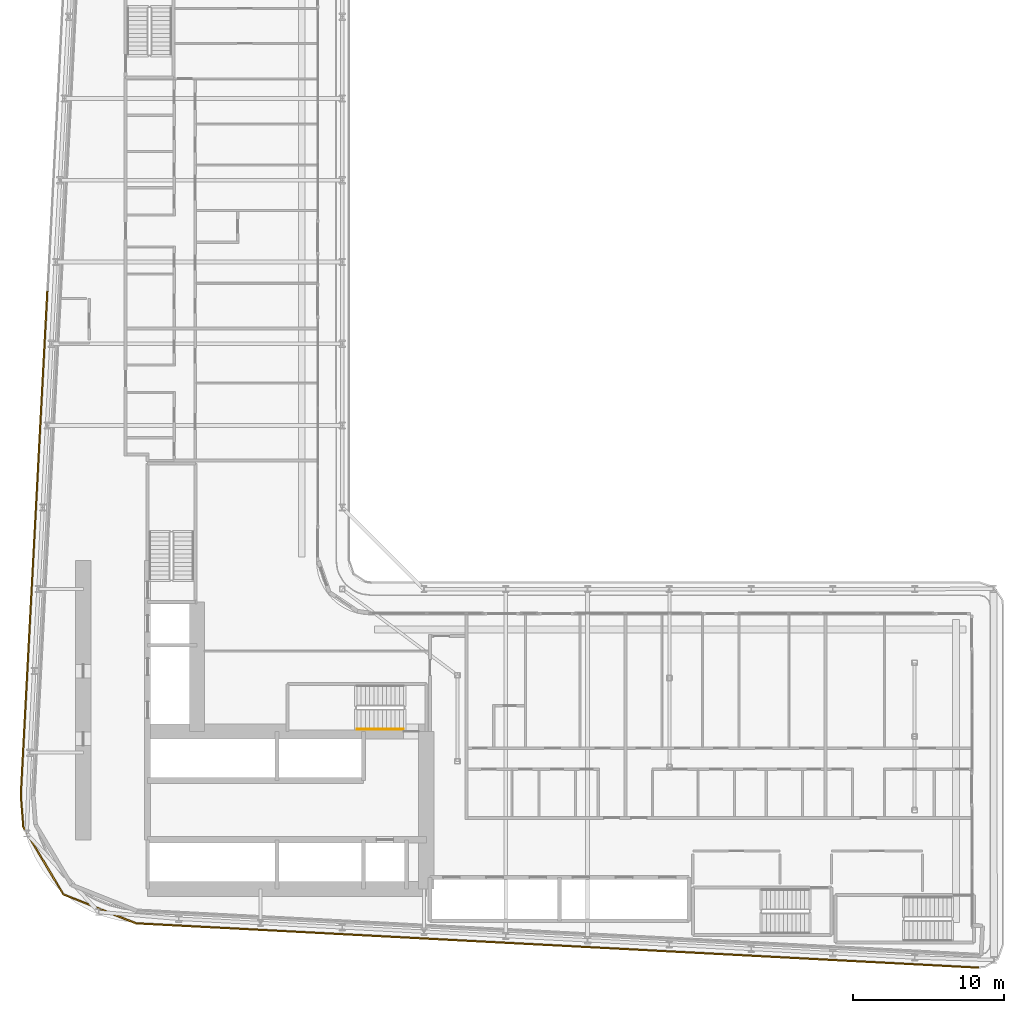
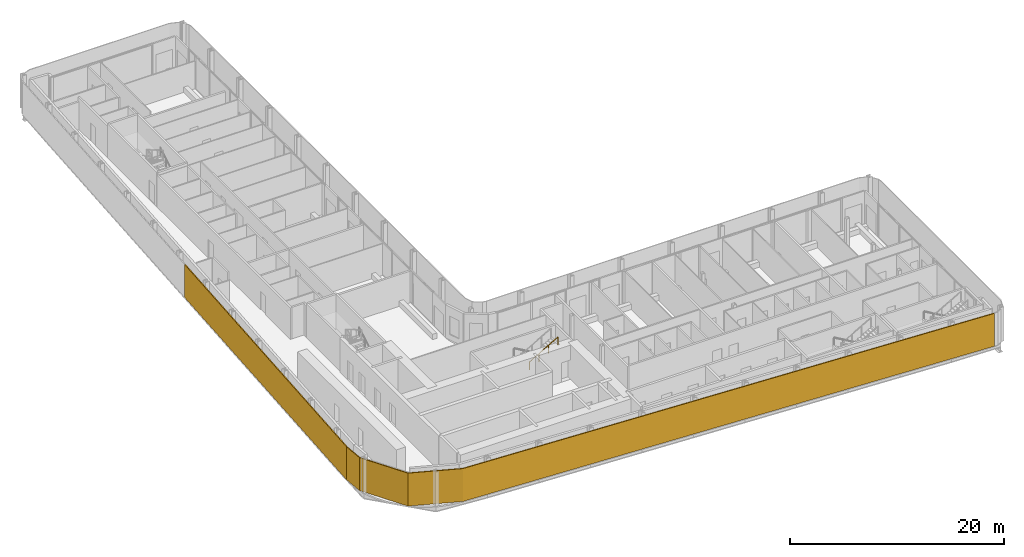
# One storey, part 18 of 24: 2 shading devices, 1 railing.
"""IFC4 building model written with IfcOpenShell, lengths in metres."""

from ifc_helpers import new_model, si_unit, direction, frame, origin, origin_2d, place, context, subcontext, project, spatial, polyline, rectangle, circle, outline, extrude, material, layer, layer_set, type_object, element, save


model = new_model("IFC4")

# Units and contexts
model_context = context("Model", 3, precision=1e-05, world=origin(), true_north=direction((0.0, 1.0)))
body_context = subcontext(model_context, "Body", "Model", "MODEL_VIEW")
ifc_project = project(units=[si_unit("LENGTHUNIT", "METRE"), si_unit("AREAUNIT", "SQUARE_METRE"), si_unit("VOLUMEUNIT", "CUBIC_METRE"), si_unit("PLANEANGLEUNIT", "RADIAN"), si_unit("MASSUNIT", "GRAM", prefix="KILO")], contexts=[model_context])

# Site, building, storey
site_placement = place(None, origin())
site = spatial("IfcSite", under=ifc_project, at=site_placement, CompositionType="ELEMENT")
building_placement = place(site_placement, origin())
building = spatial("IfcBuilding", under=site, at=building_placement, Name="Kheshtan School and Residences Tower", CompositionType="ELEMENT")
storey_placement = place(building_placement, frame((0.0, 0.0, 38.300048828125)))
storey = spatial("IfcBuildingStorey", under=building, at=storey_placement, Name="L08", CompositionType="ELEMENT", Elevation=38.300048828125)

# Shading devices
ifc_material_1 = material(Name="Terracotta baguette, extruded ceramic", Category="masonry")
ifc_layer = layer(ifc_material_1, 0.10009765625)
ifc_layer_set = layer_set([ifc_layer], Name="Ledge screen, terracotta baguettes")
shading_device_type = type_object("IfcShadingDeviceType", Name="Ledge screen, terracotta baguettes", PredefinedType="USERDEFINED", material=ifc_layer_set)
shading_device_1_placement = place(storey_placement, origin())
element("IfcShadingDevice", 1, at=shading_device_1_placement, inside=storey, type_object=shading_device_type, Name="Screen L08 3", ObjectType="BAGUETTE", PredefinedType="USERDEFINED", context=body_context, shape_type="SweptSolid", body=[
    extrude(outline(polyline([(89.62109375, 20.652099609375), (33.989013671875, 23.580078125), (29.2119140625, 25.486083984375), (26.583984375, 29.906982421875), (26.419921875, 31.989013671875), (26.320068359375, 31.98095703125), (26.486083984375, 29.8759765625), (29.14306640625, 25.406005859375), (33.967041015625, 23.48095703125), (89.615966796875, 20.552001953125), (89.62109375, 20.652099609375)])), origin(), (0.0, 0.0, 1.0), 3.75),
])
shading_device_2_placement = place(storey_placement, frame((27.24609375, 48.638916015625, 0.0), z_axis=(0.0, 0.0, 1.0), x_axis=(0.052562536748, 0.998617634398, 0.0)))
element("IfcShadingDevice", 2, at=shading_device_2_placement, inside=storey, type_object=shading_device_type, Name="Screen L08 4", ObjectType="BAGUETTE", PredefinedType="USERDEFINED", context=body_context, shape_type="SweptSolid", body=[
    extrude(rectangle(XDim=33.341064453125, YDim=0.10009765625, at=origin_2d()), origin(), (0.0, 0.0, 1.0), 3.75),
])

# Railing
ifc_material_2 = material(Name="Stainless steel handrail", Category="steel")
railing_type = type_object("IfcRailingType", Name="Stair handrail 900", PredefinedType="HANDRAIL", material=ifc_material_2)
railing_placement = place(storey_placement, frame((48.570068359375, 36.35009765625, 2.112548828125)))
element("IfcRailing", 3, at=railing_placement, inside=storey, type_object=railing_type, Name="L08 ST1 stair handrail 2", PredefinedType="HANDRAIL", context=body_context, shape_type="SweptSolid", body=[
    extrude(circle(Radius=0.02392578125, at=origin_2d()), frame((0.0, 0.0, 0.8759765625), z_axis=(0.864903211148, 0.0, 0.501938676878), x_axis=(0.0, 1.0, 0.0)), (0.0, 0.0, 1.0), 3.560791015625),
    extrude(circle(Radius=0.02099609375, at=origin_2d()), origin(), (0.0, 0.0, 1.0), 0.851806640625),
    extrude(circle(Radius=0.02099609375, at=origin_2d()), frame((1.026611328125, 0.0, 0.595703125)), (0.0, 0.0, 1.0), 0.851806640625),
    extrude(circle(Radius=0.02099609375, at=origin_2d()), frame((2.05322265625, 0.0, 1.191650390625)), (0.0, 0.0, 1.0), 0.851806640625),
    extrude(circle(Radius=0.02099609375, at=origin_2d()), frame((3.079833984375, 0.0, 1.787353515625)), (0.0, 0.0, 1.0), 0.851806640625),
])

save(model, "model.ifc")
